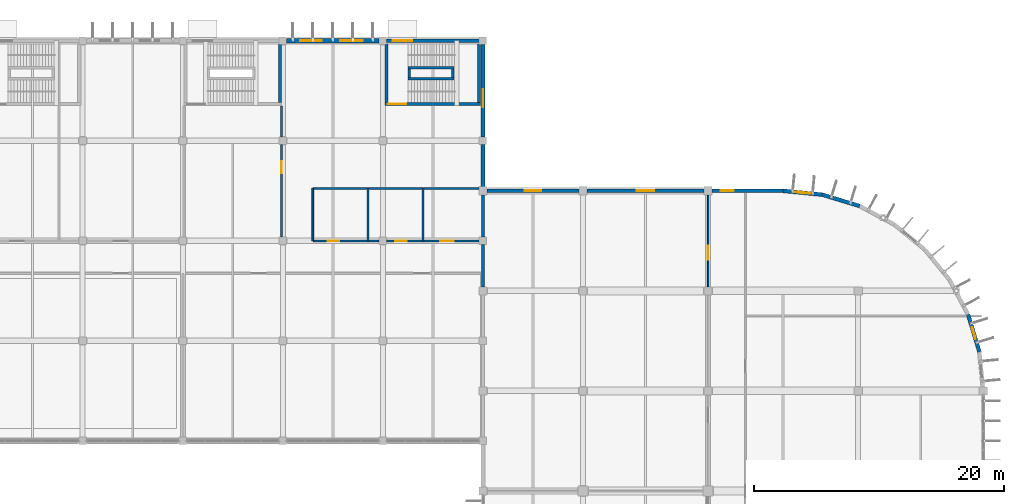
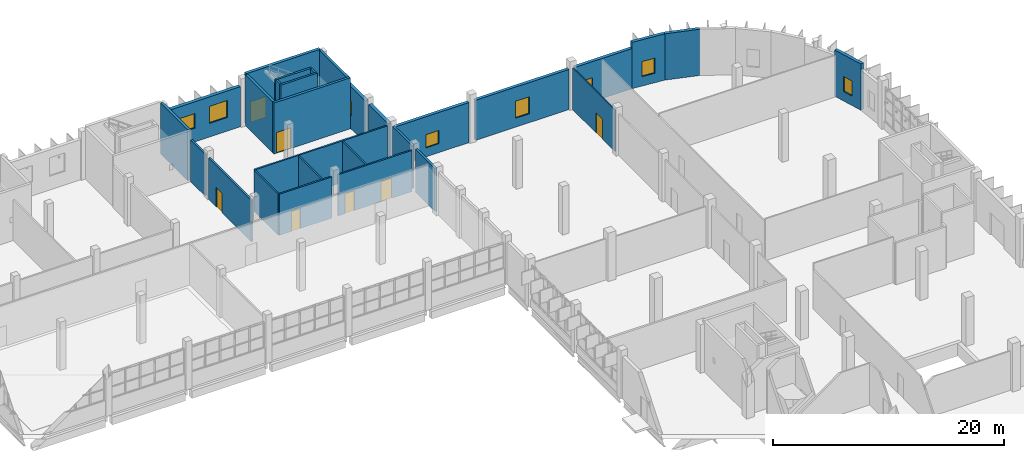
# One storey, part 83 of 103: 29 walls, 8 windows, 7 doors, 15 openings.
"""IFC4 building model written with IfcOpenShell, lengths in metres."""

from ifc_helpers import new_model, si_unit, direction, frame, frame_2d, origin, place, context, subcontext, project, spatial, rectangle, extrude, material, layer, layer_set, type_object, element, fill, save


model = new_model("IFC4")

# Units and contexts
model_context = context("Model", 3, precision=1e-05, world=origin(), true_north=direction((0.0, 1.0)))
body_context = subcontext(model_context, "Body", "Model", "MODEL_VIEW")
ifc_project = project(units=[si_unit("LENGTHUNIT", "METRE"), si_unit("AREAUNIT", "SQUARE_METRE"), si_unit("VOLUMEUNIT", "CUBIC_METRE"), si_unit("PLANEANGLEUNIT", "RADIAN"), si_unit("MASSUNIT", "GRAM", prefix="KILO")], contexts=[model_context])

# Site, building, storey
site_placement = place(None, origin())
site = spatial("IfcSite", under=ifc_project, at=site_placement, CompositionType="ELEMENT")
building_placement = place(site_placement, origin())
building = spatial("IfcBuilding", under=site, at=building_placement, Name="Drelvana Railside Aquatics Centre", CompositionType="ELEMENT")
storey_placement = place(building_placement, origin())
storey = spatial("IfcBuildingStorey", under=building, at=storey_placement, Name="L00", CompositionType="ELEMENT", Elevation=0.0)

# Wall, opening, door
ifc_material_1 = material(Name="Concrete blockwork compartment wall", Category="masonry")
ifc_layer_1 = layer(ifc_material_1, 0.18505859375, Name="Concrete blockwork compartment wall")
ifc_layer_set_1 = layer_set([ifc_layer_1], Name="Concrete blockwork compartment wall")
wall_type_1 = type_object("IfcWallType", Name="WL-COMP-185", PredefinedType="STANDARD", material=ifc_layer_set_1)
wall_1_placement = place(storey_placement, frame((127.89990234375, 100.302001953125, 0.0), z_axis=(0.0, 0.0, 1.0), x_axis=(0.0, 1.0, 0.0)))
wall_1 = element("IfcWall", 1, at=wall_1_placement, inside=storey, type_object=wall_type_1, Name="L00 Stair passage east wall", PredefinedType="STANDARD", context=body_context, shape_type="SweptSolid", body=[
    extrude(rectangle(XDim=7.39599609375, YDim=0.18505859375, at=frame_2d((3.697998046875, 0.0))), origin(), (0.0, 0.0, 1.0), 4.405029296875),
])
opening_1_placement = place(wall_1_placement, frame((5.097900390625, 0.0, 0.0)))
opening_1 = element("IfcOpeningElement", 2, at=opening_1_placement, cuts=wall_1, Name="Opening D-13-169", PredefinedType="OPENING", context=body_context, shape_type="SweptSolid", body=[
    extrude(rectangle(XDim=0.97998046875, YDim=2.10009765625, at=frame_2d((0.489990234375, 1.050048828125))), frame((0.0, 0.1025390625, 0.0), z_axis=(0.0, -1.0, 0.0), x_axis=(1.0, 0.0, 0.0)), (0.0, 0.0, 1.0), 0.205078125),
])
ifc_material_2 = material(Name="Equipment store door", Category="wood")
door_type_1 = type_object("IfcDoorType", Name="DR-INT-STR-980x2100", OperationType="NOTDEFINED", PredefinedType="DOOR", material=ifc_material_2)
door_1_placement = place(opening_1_placement, origin())
door_1 = element("IfcDoor", 3, at=door_1_placement, inside=storey, type_object=door_type_1, Name="L00 Towel and kit store door D-13-169", OperationType="SINGLE_SWING_RIGHT", OverallHeight=2.10009765625, OverallWidth=0.97998046875, PredefinedType="DOOR", context=body_context, shape_type="SweptSolid", body=[
    extrude(rectangle(XDim=0.97998046875, YDim=2.10009765625, at=frame_2d((0.489990234375, 1.050048828125))), frame((0.0, 0.02490234375, 0.0), z_axis=(0.0, -1.0, 0.0), x_axis=(1.0, 0.0, 0.0)), (0.0, 0.0, 1.0), 0.050048828125),
])
fill(opening_1, door_1)

# Walls
wall_2_placement = place(storey_placement, frame((127.89990234375, 108.302001953125, 0.0), z_axis=(0.0, 0.0, 1.0), x_axis=(0.0, 1.0, 0.0)))
element("IfcWall", 4, at=wall_2_placement, inside=storey, type_object=wall_type_1, Name="L00 Stair passage east wall", PredefinedType="STANDARD", context=body_context, shape_type="SweptSolid", body=[
    extrude(rectangle(XDim=2.49609375, YDim=0.18505859375, at=frame_2d((1.248046875, 0.0))), origin(), (0.0, 0.0, 1.0), 4.405029296875),
])
ifc_material_3 = material(Name="Autoclaved aerated concrete masonry", Category="masonry")
ifc_layer_2 = layer(ifc_material_3, 0.22509765625, Name="Autoclaved aerated concrete masonry")
ifc_layer_set_2 = layer_set([ifc_layer_2], Name="Autoclaved aerated concrete masonry")
wall_type_2 = type_object("IfcWallType", Name="WL-COMP-225", PredefinedType="STANDARD", material=ifc_layer_set_2)
for number, where, z_axis, x_axis, name in (
    (5, (144.0, 96.326904296875, 0.0), (0.0, 0.0, 1.0), (0.0, 1.0, 0.0), "L00 Changing-Wing compartment wall"),
    (6, (144.0, 100.302001953125, 0.0), (0.0, 0.0, 1.0), (0.0, 1.0, 0.0), "L00 Changing-Wing compartment wall"),
):
    element("IfcWall", number, at=place(storey_placement, frame(where, z_axis=z_axis, x_axis=x_axis)), inside=storey, type_object=wall_type_2, Name=name, PredefinedType="STANDARD", context=body_context, shape_type="SweptSolid", body=[
        extrude(rectangle(XDim=3.37109375, YDim=0.22509765625, at=frame_2d((1.685546875, 0.0))), origin(), (0.0, 0.0, 1.0), 4.554931640625),
    ])
ifc_material_4 = material(Name="Concrete C40/50", Category="concrete")
ifc_layer_3 = layer(ifc_material_4, 0.25, Name="Concrete C40/50")
ifc_layer_set_3 = layer_set([ifc_layer_3], Name="Concrete C40/50")
wall_type_3 = type_object("IfcWallType", Name="WL-CORE-250", PredefinedType="SHEAR", material=ifc_layer_set_3)
wall_3_placement = place(storey_placement, frame((127.77490234375, 111.050048828125, 0.0), z_axis=(0.0, 0.0, 1.0), x_axis=(0.0, 1.0, 0.0)))
element("IfcWall", 7, at=wall_3_placement, inside=storey, type_object=wall_type_3, Name="Core 5 Changing Pavilion North E core wall (L00)", PredefinedType="SHEAR", context=body_context, shape_type="SweptSolid", body=[
    extrude(rectangle(XDim=4.699951171875, YDim=0.25, at=frame_2d((2.35009765625, 0.0))), origin(), (0.0, 0.0, 1.0), 5.39990234375),
])

# Wall, opening, door
wall_4_placement = place(storey_placement, frame((136.14990234375, 110.925048828125, 0.0), z_axis=(0.0, 0.0, 1.0), x_axis=(1.0, 0.0, 0.0)))
wall_4 = element("IfcWall", 8, at=wall_4_placement, inside=storey, type_object=wall_type_3, Name="Core 12 Changing Pavilion North-East S core wall (L00)", PredefinedType="SHEAR", context=body_context, shape_type="SweptSolid", body=[
    extrude(rectangle(XDim=7.650146484375, YDim=0.25, at=frame_2d((3.8251953125, 0.0))), origin(), (0.0, 0.0, 1.0), 5.39990234375),
])
opening_2_placement = place(wall_4_placement, frame((0.25, 0.0, 0.0)))
opening_2 = element("IfcOpeningElement", 9, at=opening_2_placement, cuts=wall_4, Name="Opening D-01-093", PredefinedType="OPENING", context=body_context, shape_type="SweptSolid", body=[
    extrude(rectangle(XDim=1.449951171875, YDim=2.199951171875, at=frame_2d((0.72509765625, 1.10009765625))), frame((0.0, 0.135009765625, 0.0), z_axis=(0.0, -1.0, 0.0), x_axis=(1.0, 0.0, 0.0)), (0.0, 0.0, 1.0), 0.27001953125),
])
ifc_material_5 = material(Name="Fire-rated steel and vision-panel door", Category="steel")
door_type_2 = type_object("IfcDoorType", Name="DR-INT-STAIR-1450x2200", OperationType="DOUBLE_DOOR_SINGLE_SWING", PredefinedType="DOOR", material=ifc_material_5)
door_2_placement = place(opening_2_placement, origin())
door_2 = element("IfcDoor", 10, at=door_2_placement, inside=storey, type_object=door_type_2, Name="Stair ST-12 lobby door D-01-093", OperationType="DOUBLE_DOOR_SINGLE_SWING", OverallHeight=2.199951171875, OverallWidth=1.449951171875, PredefinedType="DOOR", context=body_context, shape_type="SweptSolid", body=[
    extrude(rectangle(XDim=1.449951171875, YDim=2.199951171875, at=frame_2d((0.72509765625, 1.10009765625))), frame((0.0, 0.02490234375, 0.0), z_axis=(0.0, -1.0, 0.0), x_axis=(1.0, 0.0, 0.0)), (0.0, 0.0, 1.0), 0.050048828125),
])
fill(opening_2, door_2)

# Walls
for number, where, z_axis, x_axis, name in (
    (11, (136.27490234375, 111.050048828125, 0.0), (0.0, 0.0, 1.0), (0.0, 1.0, 0.0), "Core 12 Changing Pavilion North-East W core wall (L00)"),
    (12, (143.675048828125, 111.050048828125, 0.0), (0.0, 0.0, 1.0), (0.0, 1.0, 0.0), "Core 12 Changing Pavilion North-East E core wall (L00)"),
):
    element("IfcWall", number, at=place(storey_placement, frame(where, z_axis=z_axis, x_axis=x_axis)), inside=storey, type_object=wall_type_3, Name=name, PredefinedType="SHEAR", context=body_context, shape_type="SweptSolid", body=[
        extrude(rectangle(XDim=4.699951171875, YDim=0.25, at=frame_2d((2.35009765625, 0.0))), origin(), (0.0, 0.0, 1.0), 5.39990234375),
    ])

# Wall, opening, door
ifc_layer_4 = layer(ifc_material_4, 0.300048828125, Name="Concrete C40/50")
ifc_layer_set_4 = layer_set([ifc_layer_4], Name="Concrete C40/50")
wall_type_4 = type_object("IfcWallType", Name="WL-CORE-300", PredefinedType="SHEAR", material=ifc_layer_set_4)
wall_5_placement = place(storey_placement, frame((136.2958984375, 116.0, 0.0), z_axis=(0.0, 0.0, 1.0), x_axis=(1.0, 0.0, 0.0)))
wall_5 = element("IfcWall", 13, at=wall_5_placement, inside=storey, type_object=wall_type_4, Name="Core 12 north L00 shear wall", PredefinedType="SHEAR", context=body_context, shape_type="SweptSolid", body=[
    extrude(rectangle(XDim=7.408203125, YDim=0.300048828125, at=frame_2d((3.7041015625, 0.0))), origin(), (0.0, 0.0, 1.0), 5.39990234375),
])
opening_3_placement = place(wall_5_placement, frame((0.50390625, 0.0, 0.0)))
opening_3 = element("IfcOpeningElement", 14, at=opening_3_placement, cuts=wall_5, Name="Opening EX-03-017", PredefinedType="OPENING", context=body_context, shape_type="SweptSolid", body=[
    extrude(rectangle(XDim=1.550048828125, YDim=2.199951171875, at=frame_2d((0.77490234375, 1.10009765625))), frame((0.0, 0.159912109375, 0.0), z_axis=(0.0, -1.0, 0.0), x_axis=(1.0, 0.0, 0.0)), (0.0, 0.0, 1.0), 0.320068359375),
])
ifc_material_6 = material(Name="Thermally broken bronze-anodised aluminium and glazed door", Category="aluminium")
door_type_3 = type_object("IfcDoorType", Name="DR-EXT-EXIT-1550x2200", OperationType="DOUBLE_DOOR_SINGLE_SWING", PredefinedType="DOOR", material=ifc_material_6)
door_3_placement = place(opening_3_placement, origin())
door_3 = element("IfcDoor", 15, at=door_3_placement, inside=storey, type_object=door_type_3, Name="Stair ST-12 final exit door EX-03-017", OperationType="DOUBLE_DOOR_SINGLE_SWING", OverallHeight=2.199951171875, OverallWidth=1.550048828125, PredefinedType="DOOR", context=body_context, shape_type="SweptSolid", body=[
    extrude(rectangle(XDim=1.550048828125, YDim=2.199951171875, at=frame_2d((0.77490234375, 1.10009765625))), frame((0.0, 0.02490234375, 0.0), z_axis=(0.0, -1.0, 0.0), x_axis=(1.0, 0.0, 0.0)), (0.0, 0.0, 1.0), 0.050048828125),
])
fill(opening_3, door_3)

ifc_material_7 = material(Name="Acoustic twin-stud gypsum partition", Category="gypsum")
ifc_layer_5 = layer(ifc_material_7, 0.1201171875, Name="Acoustic twin-stud gypsum partition")
ifc_layer_set_5 = layer_set([ifc_layer_5], Name="Acoustic twin-stud gypsum partition")
wall_type_5 = type_object("IfcWallType", Name="WL-DRY-120", PredefinedType="PARTITIONING", material=ifc_layer_set_5)
wall_6_placement = place(storey_placement, frame((162.0, 96.326904296875, 0.0), z_axis=(0.0, 0.0, 1.0), x_axis=(0.0, 1.0, 0.0)))
wall_6 = element("IfcWall", 16, at=wall_6_placement, inside=storey, type_object=wall_type_5, Name="V5 L00 west corridor wall", PredefinedType="PARTITIONING", context=body_context, shape_type="SweptSolid", body=[
    extrude(rectangle(XDim=7.34619140625, YDim=0.1201171875, at=frame_2d((3.673095703125, 0.0))), origin(), (0.0, 0.0, 1.0), 4.405029296875),
])
opening_4_placement = place(wall_6_placement, frame((2.173095703125, 0.0, 0.0)))
opening_4 = element("IfcOpeningElement", 17, at=opening_4_placement, cuts=wall_6, Name="Opening D-08-199", PredefinedType="OPENING", context=body_context, shape_type="SweptSolid", body=[
    extrude(rectangle(XDim=1.10009765625, YDim=2.14990234375, at=frame_2d((0.550048828125, 1.074951171875))), frame((0.0, 0.070068359375, 0.0), z_axis=(0.0, -1.0, 0.0), x_axis=(1.0, 0.0, 0.0)), (0.0, 0.0, 1.0), 0.14013671875),
])
ifc_material_8 = material(Name="Moisture-resistant phenolic changing door", Category="wood")
door_type_4 = type_object("IfcDoorType", Name="DR-INT-CHG-1100x2150", OperationType="NOTDEFINED", PredefinedType="DOOR", material=ifc_material_8)
door_4_placement = place(opening_4_placement, origin())
door_4 = element("IfcDoor", 18, at=door_4_placement, inside=storey, type_object=door_type_4, Name="Athlete recovery changing north door D-08-199", OperationType="SINGLE_SWING_LEFT", OverallHeight=2.14990234375, OverallWidth=1.10009765625, PredefinedType="DOOR", context=body_context, shape_type="SweptSolid", body=[
    extrude(rectangle(XDim=1.10009765625, YDim=2.14990234375, at=frame_2d((0.550048828125, 1.074951171875))), frame((0.0, 0.02490234375, 0.0), z_axis=(0.0, -1.0, 0.0), x_axis=(1.0, 0.0, 0.0)), (0.0, 0.0, 1.0), 0.050048828125),
])
fill(opening_4, door_4)

# Wall, opening, window
ifc_material_9 = material(Name="Terracotta rainscreen masonry wall", Category="masonry")
ifc_layer_6 = layer(ifc_material_9, 0.31005859375, Name="Terracotta rainscreen masonry wall")
ifc_layer_set_6 = layer_set([ifc_layer_6], Name="Terracotta rainscreen masonry wall")
wall_type_6 = type_object("IfcWallType", Name="WL-EXT-310", PredefinedType="STANDARD", material=ifc_layer_set_6)
wall_7_placement = place(storey_placement, frame((183.692626953125, 91.121337890625, 0.0), z_axis=(0.0, 0.0, 1.0), x_axis=(-0.29030980253, 0.956932713703, 0.0)))
wall_7 = element("IfcWall", 19, at=wall_7_placement, inside=storey, type_object=wall_type_6, Name="V5NE curved wall 2", PredefinedType="STANDARD", context=body_context, shape_type="SweptSolid", body=[
    extrude(rectangle(XDim=3.13671875, YDim=0.31005859375, at=frame_2d((1.568359375, 0.0))), origin(), (0.0, 0.0, 1.0), 4.89990234375),
])
opening_5_placement = place(wall_7_placement, frame((1.068359375, 0.0, 1.0)))
opening_5 = element("IfcOpeningElement", 20, at=opening_5_placement, cuts=wall_7, Name="Opening W-04", PredefinedType="OPENING", context=body_context, shape_type="SweptSolid", body=[
    extrude(rectangle(XDim=1.0, YDim=1.60009765625, at=frame_2d((0.5, 0.800048828125))), frame((0.0, 0.1650390625, 0.0), z_axis=(0.0, -1.0, 0.0), x_axis=(1.0, 0.0, 0.0)), (0.0, 0.0, 1.0), 0.330078125),
])
ifc_material_10 = material(Name="Double-glazed solar-control aluminium window", Category="aluminium")
window_type_1 = type_object("IfcWindowType", Name="WIN-04", PartitioningType="SINGLE_PANEL", PredefinedType="WINDOW", material=ifc_material_10)
window_1_placement = place(opening_5_placement, origin())
window_1 = element("IfcWindow", 21, at=window_1_placement, inside=storey, type_object=window_type_1, Name="V5NE curved window WIN-04", OverallHeight=1.60009765625, OverallWidth=1.0, PartitioningType="SINGLE_PANEL", PredefinedType="WINDOW", context=body_context, shape_type="SweptSolid", body=[
    extrude(rectangle(XDim=1.0, YDim=1.60009765625, at=frame_2d((0.5, 0.800048828125))), frame((0.0, 0.030029296875, 0.0), z_axis=(0.0, -1.0, 0.0), x_axis=(1.0, 0.0, 0.0)), (0.0, 0.0, 1.0), 0.06005859375),
])
fill(opening_5, window_1)

# Wall
wall_8_placement = place(storey_placement, frame((174.123046875, 102.781982421875, 0.0), z_axis=(0.0, 0.0, 1.0), x_axis=(-0.956932713703, 0.29030980253, 0.0)))
element("IfcWall", 22, at=wall_8_placement, inside=storey, type_object=wall_type_6, Name="V5NE curved wall 7", PredefinedType="STANDARD", context=body_context, shape_type="SweptSolid", body=[
    extrude(rectangle(XDim=3.13671875, YDim=0.31005859375, at=frame_2d((1.568359375, 0.0))), origin(), (0.0, 0.0, 1.0), 4.89990234375),
])

# Wall, opening, window
wall_9_placement = place(storey_placement, frame((171.121337890625, 103.692626953125, 0.0), z_axis=(0.0, 0.0, 1.0), x_axis=(-0.995186340733, 0.098000751113, 0.0)))
wall_9 = element("IfcWall", 23, at=wall_9_placement, inside=storey, type_object=wall_type_6, Name="V5NE curved wall 8", PredefinedType="STANDARD", context=body_context, shape_type="SweptSolid", body=[
    extrude(rectangle(XDim=3.136474609375, YDim=0.31005859375, at=frame_2d((1.568359375, 0.0))), origin(), (0.0, 0.0, 1.0), 4.89990234375),
])
opening_6_placement = place(wall_9_placement, frame((0.96826171875, 0.0, 1.0)))
opening_6 = element("IfcOpeningElement", 24, at=opening_6_placement, cuts=wall_9, Name="Opening W-10", PredefinedType="OPENING", context=body_context, shape_type="SweptSolid", body=[
    extrude(rectangle(XDim=1.199951171875, YDim=1.60009765625, at=frame_2d((0.60009765625, 0.800048828125))), frame((0.0, 0.1650390625, 0.0), z_axis=(0.0, -1.0, 0.0), x_axis=(1.0, 0.0, 0.0)), (0.0, 0.0, 1.0), 0.330078125),
])
window_type_2 = type_object("IfcWindowType", Name="WIN-10", PartitioningType="SINGLE_PANEL", PredefinedType="WINDOW", material=ifc_material_10)
window_2_placement = place(opening_6_placement, origin())
window_2 = element("IfcWindow", 25, at=window_2_placement, inside=storey, type_object=window_type_2, Name="V5NE curved window WIN-10", OverallHeight=1.60009765625, OverallWidth=1.199951171875, PartitioningType="SINGLE_PANEL", PredefinedType="WINDOW", context=body_context, shape_type="SweptSolid", body=[
    extrude(rectangle(XDim=1.199951171875, YDim=1.60009765625, at=frame_2d((0.60009765625, 0.800048828125))), frame((0.0, 0.030029296875, 0.0), z_axis=(0.0, -1.0, 0.0), x_axis=(1.0, 0.0, 0.0)), (0.0, 0.0, 1.0), 0.06005859375),
])
fill(opening_6, window_2)

wall_10_placement = place(storey_placement, frame((144.321044921875, 104.0, 0.0), z_axis=(0.0, 0.0, 1.0), x_axis=(1.0, 0.0, 0.0)))
wall_10 = element("IfcWall", 26, at=wall_10_placement, inside=storey, type_object=wall_type_6, Name="V5 L00 end bay wall", PredefinedType="STANDARD", context=body_context, shape_type="SweptSolid", body=[
    extrude(rectangle(XDim=7.35791015625, YDim=0.31005859375, at=frame_2d((3.678955078125, 0.0))), origin(), (0.0, 0.0, 1.0), 4.25),
])
opening_7_placement = place(wall_10_placement, frame((3.029052734375, 0.0, 0.949951171875)))
opening_7 = element("IfcOpeningElement", 27, at=opening_7_placement, cuts=wall_10, Name="Opening W-13", PredefinedType="OPENING", context=body_context, shape_type="SweptSolid", body=[
    extrude(rectangle(XDim=1.300048828125, YDim=1.39990234375, at=frame_2d((0.64990234375, 0.699951171875))), frame((0.0, 0.1650390625, 0.0), z_axis=(0.0, -1.0, 0.0), x_axis=(1.0, 0.0, 0.0)), (0.0, 0.0, 1.0), 0.330078125),
])
window_type_3 = type_object("IfcWindowType", Name="WIN-13", PartitioningType="SINGLE_PANEL", PredefinedType="WINDOW", material=ifc_material_10)
window_3_placement = place(opening_7_placement, origin())
window_3 = element("IfcWindow", 28, at=window_3_placement, inside=storey, type_object=window_type_3, Name="V5 L00 end window WIN-13", OverallHeight=1.39990234375, OverallWidth=1.300048828125, PartitioningType="SINGLE_PANEL", PredefinedType="WINDOW", context=body_context, shape_type="SweptSolid", body=[
    extrude(rectangle(XDim=1.300048828125, YDim=1.39990234375, at=frame_2d((0.64990234375, 0.699951171875))), frame((0.0, 0.030029296875, 0.0), z_axis=(0.0, -1.0, 0.0), x_axis=(1.0, 0.0, 0.0)), (0.0, 0.0, 1.0), 0.06005859375),
])
fill(opening_7, window_3)

wall_11_placement = place(storey_placement, frame((152.321044921875, 104.0, 0.0), z_axis=(0.0, 0.0, 1.0), x_axis=(1.0, 0.0, 0.0)))
wall_11 = element("IfcWall", 29, at=wall_11_placement, inside=storey, type_object=wall_type_6, Name="V5 L00 end bay wall", PredefinedType="STANDARD", context=body_context, shape_type="SweptSolid", body=[
    extrude(rectangle(XDim=9.35791015625, YDim=0.31005859375, at=frame_2d((4.678955078125, 0.0))), origin(), (0.0, 0.0, 1.0), 4.25),
])
opening_8_placement = place(wall_11_placement, frame((3.97900390625, 0.0, 0.949951171875)))
opening_8 = element("IfcOpeningElement", 30, at=opening_8_placement, cuts=wall_11, Name="Opening W-15", PredefinedType="OPENING", context=body_context, shape_type="SweptSolid", body=[
    extrude(rectangle(XDim=1.39990234375, YDim=1.800048828125, at=frame_2d((0.699951171875, 0.89990234375))), frame((0.0, 0.1650390625, 0.0), z_axis=(0.0, -1.0, 0.0), x_axis=(1.0, 0.0, 0.0)), (0.0, 0.0, 1.0), 0.330078125),
])
window_type_4 = type_object("IfcWindowType", Name="WIN-15", PartitioningType="SINGLE_PANEL", PredefinedType="WINDOW", material=ifc_material_10)
window_4_placement = place(opening_8_placement, origin())
window_4 = element("IfcWindow", 31, at=window_4_placement, inside=storey, type_object=window_type_4, Name="V5 L00 end window WIN-15", OverallHeight=1.800048828125, OverallWidth=1.39990234375, PartitioningType="SINGLE_PANEL", PredefinedType="WINDOW", context=body_context, shape_type="SweptSolid", body=[
    extrude(rectangle(XDim=1.39990234375, YDim=1.800048828125, at=frame_2d((0.699951171875, 0.89990234375))), frame((0.0, 0.030029296875, 0.0), z_axis=(0.0, -1.0, 0.0), x_axis=(1.0, 0.0, 0.0)), (0.0, 0.0, 1.0), 0.06005859375),
])
fill(opening_8, window_4)

wall_12_placement = place(storey_placement, frame((162.321044921875, 104.0, 0.0), z_axis=(0.0, 0.0, 1.0), x_axis=(1.0, 0.0, 0.0)))
wall_12 = element("IfcWall", 32, at=wall_12_placement, inside=storey, type_object=wall_type_6, Name="V5 L00 end bay wall", PredefinedType="STANDARD", context=body_context, shape_type="SweptSolid", body=[
    extrude(rectangle(XDim=5.698974609375, YDim=0.31005859375, at=frame_2d((2.849609375, 0.0))), origin(), (0.0, 0.0, 1.0), 4.25),
])
opening_9_placement = place(wall_12_placement, frame((0.708984375, 0.0, 0.949951171875)))
opening_9 = element("IfcOpeningElement", 33, at=opening_9_placement, cuts=wall_12, Name="Opening W-04", PredefinedType="OPENING", context=body_context, shape_type="SweptSolid", body=[
    extrude(rectangle(XDim=1.0, YDim=1.60009765625, at=frame_2d((0.5, 0.800048828125))), frame((0.0, 0.1650390625, 0.0), z_axis=(0.0, -1.0, 0.0), x_axis=(1.0, 0.0, 0.0)), (0.0, 0.0, 1.0), 0.330078125),
])
window_5_placement = place(opening_9_placement, origin())
window_5 = element("IfcWindow", 34, at=window_5_placement, inside=storey, type_object=window_type_1, Name="V5 L00 end window WIN-04", OverallHeight=1.60009765625, OverallWidth=1.0, PartitioningType="SINGLE_PANEL", PredefinedType="WINDOW", context=body_context, shape_type="SweptSolid", body=[
    extrude(rectangle(XDim=1.0, YDim=1.60009765625, at=frame_2d((0.5, 0.800048828125))), frame((0.0, 0.030029296875, 0.0), z_axis=(0.0, -1.0, 0.0), x_axis=(1.0, 0.0, 0.0)), (0.0, 0.0, 1.0), 0.06005859375),
])
fill(opening_9, window_5)

# Wall, openings, windows
ifc_material_11 = material(Name="Abuja granite ashlar cavity wall", Category="masonry")
ifc_layer_7 = layer(ifc_material_11, 0.330078125, Name="Abuja granite ashlar cavity wall")
ifc_layer_set_7 = layer_set([ifc_layer_7], Name="Abuja granite ashlar cavity wall")
wall_type_7 = type_object("IfcWallType", Name="WL-EXT-330", PredefinedType="STANDARD", material=ifc_layer_set_7)
wall_13_placement = place(storey_placement, frame((128.2958984375, 116.0, 0.0), z_axis=(0.0, 0.0, 1.0), x_axis=(1.0, 0.0, 0.0)))
wall_13 = element("IfcWall", 35, at=wall_13_placement, inside=storey, type_object=wall_type_7, Name="Changing north wall 128", PredefinedType="STANDARD", context=body_context, shape_type="SweptSolid", body=[
    extrude(rectangle(XDim=7.408203125, YDim=0.330078125, at=frame_2d((3.7041015625, 0.0))), origin(), (0.0, 0.0, 1.0), 4.25),
])
opening_10_placement = place(wall_13_placement, frame((1.083984375, 0.0, 1.449951171875)))
opening_10 = element("IfcOpeningElement", 36, at=opening_10_placement, cuts=wall_13, Name="Opening W-21", PredefinedType="OPENING", context=body_context, shape_type="SweptSolid", body=[
    extrude(rectangle(XDim=1.75, YDim=1.550048828125, at=frame_2d((0.875, 0.77490234375))), frame((0.0, 0.175048828125, 0.0), z_axis=(0.0, -1.0, 0.0), x_axis=(1.0, 0.0, 0.0)), (0.0, 0.0, 1.0), 0.35009765625),
])
opening_11_placement = place(wall_13_placement, frame((4.283935546875, 0.0, 1.449951171875)))
opening_11 = element("IfcOpeningElement", 37, at=opening_11_placement, cuts=wall_13, Name="Opening W-22", PredefinedType="OPENING", context=body_context, shape_type="SweptSolid", body=[
    extrude(rectangle(XDim=1.800048828125, YDim=1.800048828125, at=frame_2d((0.89990234375, 0.89990234375))), frame((0.0, 0.175048828125, 0.0), z_axis=(0.0, -1.0, 0.0), x_axis=(1.0, 0.0, 0.0)), (0.0, 0.0, 1.0), 0.35009765625),
])
window_type_5 = type_object("IfcWindowType", Name="WIN-21", PartitioningType="SINGLE_PANEL", PredefinedType="WINDOW", material=ifc_material_10)
window_6_placement = place(opening_10_placement, origin())
window_6 = element("IfcWindow", 38, at=window_6_placement, inside=storey, type_object=window_type_5, Name="Changing high-level window WIN-21", OverallHeight=1.550048828125, OverallWidth=1.75, PartitioningType="SINGLE_PANEL", PredefinedType="WINDOW", context=body_context, shape_type="SweptSolid", body=[
    extrude(rectangle(XDim=1.75, YDim=1.550048828125, at=frame_2d((0.875, 0.77490234375))), frame((0.0, 0.030029296875, 0.0), z_axis=(0.0, -1.0, 0.0), x_axis=(1.0, 0.0, 0.0)), (0.0, 0.0, 1.0), 0.06005859375),
])
fill(opening_10, window_6)
window_type_6 = type_object("IfcWindowType", Name="WIN-22", PartitioningType="SINGLE_PANEL", PredefinedType="WINDOW", material=ifc_material_10)
window_7_placement = place(opening_11_placement, origin())
window_7 = element("IfcWindow", 39, at=window_7_placement, inside=storey, type_object=window_type_6, Name="Changing high-level window WIN-22", OverallHeight=1.800048828125, OverallWidth=1.800048828125, PartitioningType="SINGLE_PANEL", PredefinedType="WINDOW", context=body_context, shape_type="SweptSolid", body=[
    extrude(rectangle(XDim=1.800048828125, YDim=1.800048828125, at=frame_2d((0.89990234375, 0.89990234375))), frame((0.0, 0.030029296875, 0.0), z_axis=(0.0, -1.0, 0.0), x_axis=(1.0, 0.0, 0.0)), (0.0, 0.0, 1.0), 0.06005859375),
])
fill(opening_11, window_7)

# Wall
wall_14_placement = place(storey_placement, frame((144.0, 104.321044921875, 0.0), z_axis=(0.0, 0.0, 1.0), x_axis=(0.0, 1.0, 0.0)))
element("IfcWall", 40, at=wall_14_placement, inside=storey, type_object=wall_type_7, Name="Changing pavilion east end wall 104", PredefinedType="STANDARD", context=body_context, shape_type="SweptSolid", body=[
    extrude(rectangle(XDim=3.383056640625, YDim=0.330078125, at=frame_2d((1.69140625, 0.0))), origin(), (0.0, 0.0, 1.0), 4.449951171875),
])

# Wall, opening, window
wall_15_placement = place(storey_placement, frame((144.0, 108.2958984375, 0.0), z_axis=(0.0, 0.0, 1.0), x_axis=(0.0, 1.0, 0.0)))
wall_15 = element("IfcWall", 41, at=wall_15_placement, inside=storey, type_object=wall_type_7, Name="Changing pavilion east end wall 108", PredefinedType="STANDARD", context=body_context, shape_type="SweptSolid", body=[
    extrude(rectangle(XDim=7.408203125, YDim=0.330078125, at=frame_2d((3.7041015625, 0.0))), origin(), (0.0, 0.0, 1.0), 4.449951171875),
])
opening_12_placement = place(wall_15_placement, frame((2.384033203125, 0.0, 1.449951171875)))
opening_12 = element("IfcOpeningElement", 42, at=opening_12_placement, cuts=wall_15, Name="Opening W-16", PredefinedType="OPENING", context=body_context, shape_type="SweptSolid", body=[
    extrude(rectangle(XDim=1.449951171875, YDim=1.5, at=frame_2d((0.72509765625, 0.75))), frame((0.0, 0.175048828125, 0.0), z_axis=(0.0, -1.0, 0.0), x_axis=(1.0, 0.0, 0.0)), (0.0, 0.0, 1.0), 0.35009765625),
])
window_type_7 = type_object("IfcWindowType", Name="WIN-16", PartitioningType="SINGLE_PANEL", PredefinedType="WINDOW", material=ifc_material_10)
window_8_placement = place(opening_12_placement, origin())
window_8 = element("IfcWindow", 43, at=window_8_placement, inside=storey, type_object=window_type_7, Name="Changing east window WIN-16", OverallHeight=1.5, OverallWidth=1.449951171875, PartitioningType="SINGLE_PANEL", PredefinedType="WINDOW", context=body_context, shape_type="SweptSolid", body=[
    extrude(rectangle(XDim=1.449951171875, YDim=1.5, at=frame_2d((0.72509765625, 0.75))), frame((0.0, 0.030029296875, 0.0), z_axis=(0.0, -1.0, 0.0), x_axis=(1.0, 0.0, 0.0)), (0.0, 0.0, 1.0), 0.06005859375),
])
fill(opening_12, window_8)

# Walls
ifc_layer_8 = layer(ifc_material_4, 0.199951171875, Name="Concrete C40/50")
ifc_layer_set_8 = layer_set([ifc_layer_8], Name="Concrete C40/50")
wall_type_8 = type_object("IfcWallType", Name="WL-SHFT-200", PredefinedType="SHEAR", material=ifc_layer_set_8)
for number, where, z_axis, x_axis, name in (
    (44, (138.02001953125, 112.949951171875, 0.0), (0.0, 0.0, 1.0), (1.0, 0.0, 0.0), "Stair ST-12 central spine wall A (L00)"),
    (45, (138.02001953125, 113.85009765625, 0.0), (0.0, 0.0, 1.0), (1.0, 0.0, 0.0), "Stair ST-12 central spine wall B (L00)"),
):
    element("IfcWall", number, at=place(storey_placement, frame(where, z_axis=z_axis, x_axis=x_axis)), inside=storey, type_object=wall_type_8, Name=name, PredefinedType="SHEAR", context=body_context, shape_type="SweptSolid", body=[
        extrude(rectangle(XDim=3.669921875, YDim=0.199951171875, at=frame_2d((1.8349609375, 0.0))), origin(), (0.0, 0.0, 1.0), 5.39990234375),
    ])
for number, where, z_axis, x_axis, name in (
    (46, (138.1201171875, 113.050048828125, 0.0), (0.0, 0.0, 1.0), (0.0, 1.0, 0.0), "Stair ST-12 central spine wall W (L00)"),
    (47, (141.590087890625, 113.050048828125, 0.0), (0.0, 0.0, 1.0), (0.0, 1.0, 0.0), "Stair ST-12 central spine wall E (L00)"),
):
    element("IfcWall", number, at=place(storey_placement, frame(where, z_axis=z_axis, x_axis=x_axis)), inside=storey, type_object=wall_type_8, Name=name, PredefinedType="SHEAR", context=body_context, shape_type="SweptSolid", body=[
        extrude(rectangle(XDim=0.699951171875, YDim=0.199951171875, at=frame_2d((0.35009765625, 0.0))), origin(), (0.0, 0.0, 1.0), 5.39990234375),
    ])
ifc_material_12 = material(Name="Moisture-resistant tiled plumbing chase wall", Category="masonry")
ifc_layer_9 = layer(ifc_material_12, 0.139892578125, Name="Moisture-resistant tiled plumbing chase wall")
ifc_layer_set_9 = layer_set([ifc_layer_9], Name="Moisture-resistant tiled plumbing chase wall")
wall_type_9 = type_object("IfcWallType", Name="WL-WET-140", PredefinedType="PLUMBINGWALL", material=ifc_layer_set_9)
for number, where, z_axis, x_axis, name in (
    (48, (130.39990234375, 100.0, 0.0), (0.0, 0.0, 1.0), (0.0, 1.0, 0.0), "L00 Changing WC divider"),
    (49, (134.800048828125, 100.0, 0.0), (0.0, 0.0, 1.0), (0.0, 1.0, 0.0), "L00 Changing WC divider"),
    (50, (139.199951171875, 100.0, 0.0), (0.0, 0.0, 1.0), (0.0, 1.0, 0.0), "L00 Changing WC divider"),
):
    element("IfcWall", number, at=place(storey_placement, frame(where, z_axis=z_axis, x_axis=x_axis)), inside=storey, type_object=wall_type_9, Name=name, PredefinedType="PLUMBINGWALL", context=body_context, shape_type="SweptSolid", body=[
        extrude(rectangle(XDim=4.199951171875, YDim=0.139892578125, at=frame_2d((2.10009765625, 0.0))), origin(), (0.0, 0.0, 1.0), 4.35498046875),
    ])

# Wall, opening, door
ifc_material_13 = material(Name="Water-resistant ceramic-tiled block partition", Category="masonry")
ifc_layer_10 = layer(ifc_material_13, 0.159912109375, Name="Water-resistant ceramic-tiled block partition")
ifc_layer_set_10 = layer_set([ifc_layer_10], Name="Water-resistant ceramic-tiled block partition")
wall_type_10 = type_object("IfcWallType", Name="WL-WET-160", PredefinedType="PARTITIONING", material=ifc_layer_set_10)
wall_16_placement = place(storey_placement, frame((130.39990234375, 100.0, 0.0), z_axis=(0.0, 0.0, 1.0), x_axis=(1.0, 0.0, 0.0)))
wall_16 = element("IfcWall", 51, at=wall_16_placement, inside=storey, type_object=wall_type_10, Name="L00 Changing north-east WC corridor wall", PredefinedType="PARTITIONING", context=body_context, shape_type="SweptSolid", body=[
    extrude(rectangle(XDim=5.298095703125, YDim=0.159912109375, at=frame_2d((2.64892578125, 0.0))), origin(), (0.0, 0.0, 1.0), 4.35498046875),
])
opening_13_placement = place(wall_16_placement, frame((1.199951171875, 0.0, 0.0)))
opening_13 = element("IfcOpeningElement", 52, at=opening_13_placement, cuts=wall_16, Name="Opening D-11-166", PredefinedType="OPENING", context=body_context, shape_type="SweptSolid", body=[
    extrude(rectangle(XDim=0.919921875, YDim=2.10009765625, at=frame_2d((0.4599609375, 1.050048828125))), frame((0.0, 0.08984375, 0.0), z_axis=(0.0, -1.0, 0.0), x_axis=(1.0, 0.0, 0.0)), (0.0, 0.0, 1.0), 0.179931640625),
])
ifc_material_14 = material(Name="Moisture-resistant laminate WC door", Category="wood")
door_type_5 = type_object("IfcDoorType", Name="DR-INT-WC-920x2100", OperationType="NOTDEFINED", PredefinedType="DOOR", material=ifc_material_14)
door_5_placement = place(opening_13_placement, origin())
door_5 = element("IfcDoor", 53, at=door_5_placement, inside=storey, type_object=door_type_5, Name="L00 Changing Male WC door D-11-166", OperationType="SINGLE_SWING_LEFT", OverallHeight=2.10009765625, OverallWidth=0.919921875, PredefinedType="DOOR", context=body_context, shape_type="SweptSolid", body=[
    extrude(rectangle(XDim=0.919921875, YDim=2.10009765625, at=frame_2d((0.4599609375, 1.050048828125))), frame((0.0, 0.02490234375, 0.0), z_axis=(0.0, -1.0, 0.0), x_axis=(1.0, 0.0, 0.0)), (0.0, 0.0, 1.0), 0.050048828125),
])
fill(opening_13, door_5)

# Wall, openings, doors
wall_17_placement = place(storey_placement, frame((136.302001953125, 100.0, 0.0), z_axis=(0.0, 0.0, 1.0), x_axis=(1.0, 0.0, 0.0)))
wall_17 = element("IfcWall", 54, at=wall_17_placement, inside=storey, type_object=wall_type_10, Name="L00 Changing north-east WC corridor wall", PredefinedType="PARTITIONING", context=body_context, shape_type="SweptSolid", body=[
    extrude(rectangle(XDim=7.39599609375, YDim=0.159912109375, at=frame_2d((3.697998046875, 0.0))), origin(), (0.0, 0.0, 1.0), 4.35498046875),
])
opening_14_placement = place(wall_17_placement, frame((0.697998046875, 0.0, 0.0)))
opening_14 = element("IfcOpeningElement", 55, at=opening_14_placement, cuts=wall_17, Name="Opening D-11-167", PredefinedType="OPENING", context=body_context, shape_type="SweptSolid", body=[
    extrude(rectangle(XDim=0.919921875, YDim=2.10009765625, at=frame_2d((0.4599609375, 1.050048828125))), frame((0.0, 0.08984375, 0.0), z_axis=(0.0, -1.0, 0.0), x_axis=(1.0, 0.0, 0.0)), (0.0, 0.0, 1.0), 0.179931640625),
])
opening_15_placement = place(wall_17_placement, frame((4.298095703125, 0.0, 0.0)))
opening_15 = element("IfcOpeningElement", 56, at=opening_15_placement, cuts=wall_17, Name="Opening D-12-168", PredefinedType="OPENING", context=body_context, shape_type="SweptSolid", body=[
    extrude(rectangle(XDim=1.050048828125, YDim=2.14990234375, at=frame_2d((0.52490234375, 1.074951171875))), frame((0.0, 0.08984375, 0.0), z_axis=(0.0, -1.0, 0.0), x_axis=(1.0, 0.0, 0.0)), (0.0, 0.0, 1.0), 0.179931640625),
])
ifc_material_15 = material(Name="Accessible toilet outward-opening door", Category="wood")
door_type_6 = type_object("IfcDoorType", Name="DR-INT-AWC-1050x2150", OperationType="NOTDEFINED", PredefinedType="DOOR", material=ifc_material_15)
door_6_placement = place(opening_15_placement, origin())
door_6 = element("IfcDoor", 57, at=door_6_placement, inside=storey, type_object=door_type_6, Name="L00 Changing Accessible WC door D-12-168", OperationType="SINGLE_SWING_LEFT", OverallHeight=2.14990234375, OverallWidth=1.050048828125, PredefinedType="DOOR", context=body_context, shape_type="SweptSolid", body=[
    extrude(rectangle(XDim=1.050048828125, YDim=2.14990234375, at=frame_2d((0.52490234375, 1.074951171875))), frame((0.0, 0.02490234375, 0.0), z_axis=(0.0, -1.0, 0.0), x_axis=(1.0, 0.0, 0.0)), (0.0, 0.0, 1.0), 0.050048828125),
])
fill(opening_15, door_6)
door_7_placement = place(opening_14_placement, origin())
door_7 = element("IfcDoor", 58, at=door_7_placement, inside=storey, type_object=door_type_5, Name="L00 Changing Female WC door D-11-167", OperationType="SINGLE_SWING_RIGHT", OverallHeight=2.10009765625, OverallWidth=0.919921875, PredefinedType="DOOR", context=body_context, shape_type="SweptSolid", body=[
    extrude(rectangle(XDim=0.919921875, YDim=2.10009765625, at=frame_2d((0.4599609375, 1.050048828125))), frame((0.0, 0.02490234375, 0.0), z_axis=(0.0, -1.0, 0.0), x_axis=(1.0, 0.0, 0.0)), (0.0, 0.0, 1.0), 0.050048828125),
])
fill(opening_14, door_7)

# Wall
wall_18_placement = place(storey_placement, frame((130.39990234375, 104.199951171875, 0.0), z_axis=(0.0, 0.0, 1.0), x_axis=(1.0, 0.0, 0.0)))
element("IfcWall", 59, at=wall_18_placement, inside=storey, type_object=wall_type_10, Name="L00 Changing WC back wall", PredefinedType="PARTITIONING", context=body_context, shape_type="SweptSolid", body=[
    extrude(rectangle(XDim=13.273193359375, YDim=0.159912109375, at=frame_2d((6.63671875, 0.0))), origin(), (0.0, 0.0, 1.0), 4.405029296875),
])

save(model, "model.ifc")
